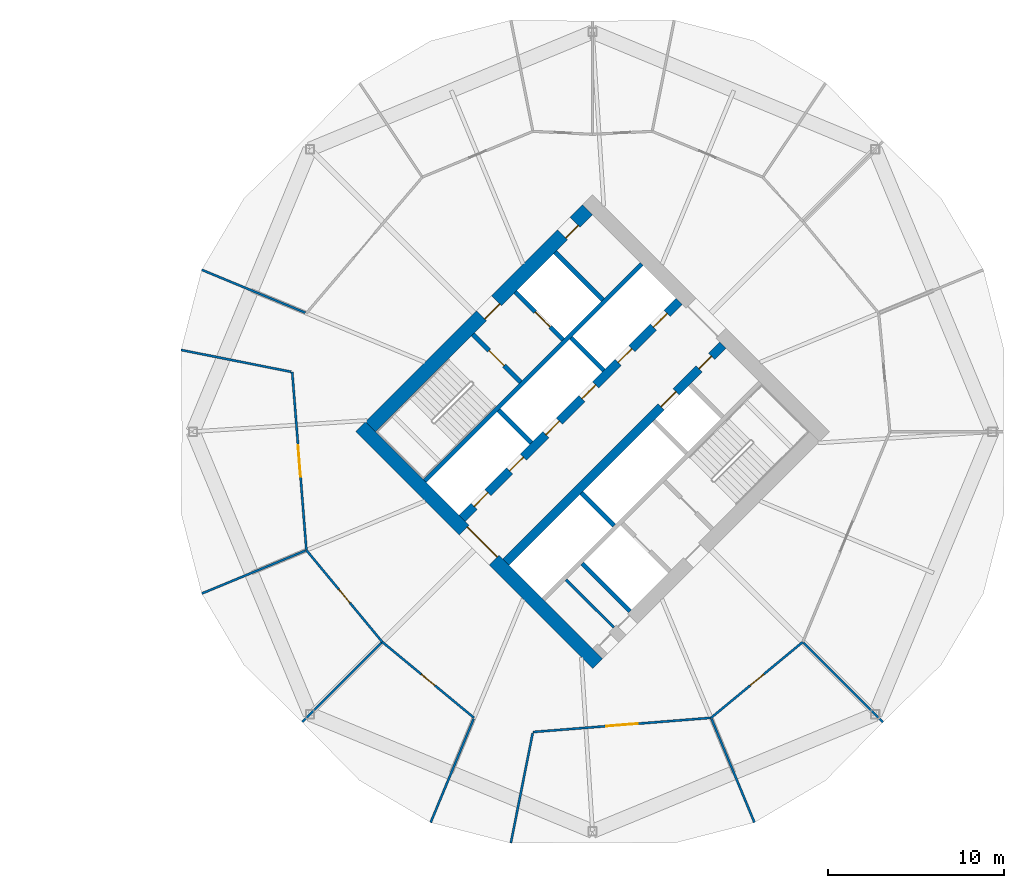
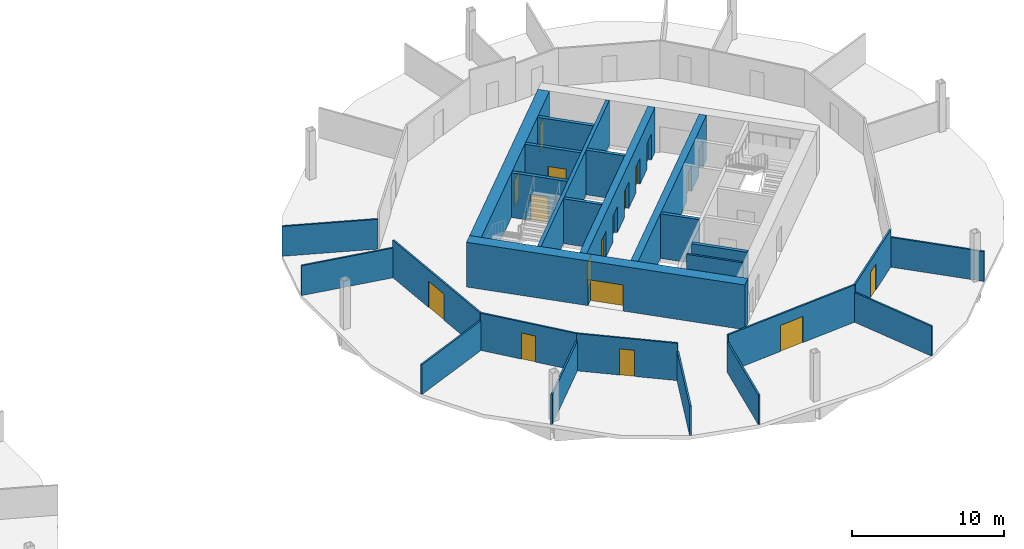
# One storey, part 6 of 9: 26 walls, 18 doors, 18 openings.
"""IFC4 building model written with IfcOpenShell, lengths in metres."""

from ifc_helpers import new_model, si_unit, direction, frame, frame_2d, origin, place, context, subcontext, project, spatial, rectangle, extrude, material, layer, layer_set, type_object, element, fill, save


model = new_model("IFC4")

# Units and contexts
model_context = context("Model", 3, precision=1e-05, world=origin(), true_north=direction((0.0, 1.0)))
body_context = subcontext(model_context, "Body", "Model", "MODEL_VIEW")
ifc_project = project(units=[si_unit("LENGTHUNIT", "METRE"), si_unit("AREAUNIT", "SQUARE_METRE"), si_unit("VOLUMEUNIT", "CUBIC_METRE"), si_unit("PLANEANGLEUNIT", "RADIAN"), si_unit("MASSUNIT", "GRAM", prefix="KILO")], contexts=[model_context])

# Site, building, storey
site_placement = place(None, origin())
site = spatial("IfcSite", under=ifc_project, at=site_placement, CompositionType="ELEMENT")
building_placement = place(site_placement, origin())
building = spatial("IfcBuilding", under=site, at=building_placement, Name="Ogive Gate Towers", CompositionType="ELEMENT")
storey_placement = place(building_placement, frame((0.0, 0.0, 80.10009765625)))
storey = spatial("IfcBuildingStorey", under=building, at=storey_placement, Name="L18", CompositionType="ELEMENT", Elevation=80.10009765625)

# Wall, openings, doors
ifc_material_1 = material(Name="Concrete C60/75", Category="concrete")
ifc_layer_1 = layer(ifc_material_1, 0.800048828125)
ifc_layer_set_1 = layer_set([ifc_layer_1], Name="Core wall 800 mm")
wall_type_1 = type_object("IfcWallType", Name="Core wall 800 mm", PredefinedType="SHEAR", material=ifc_layer_set_1)
wall_1_placement = place(storey_placement, frame((23.41357421875, 0.28271484375, 0.0), z_axis=(0.0, 0.0, 1.0), x_axis=(0.707106781187, 0.707106781187, 0.0)))
wall_1 = element("IfcWall", 1, at=wall_1_placement, inside=storey, type_object=wall_type_1, Name="T2 L18 Core wall 800 mm", PredefinedType="SHEAR", context=body_context, shape_type="SweptSolid", body=[
    extrude(rectangle(XDim=17.400146484375, YDim=0.800048828125, at=frame_2d((8.7001953125, 0.0))), origin(), (0.0, 0.0, 1.0), 3.599853515625),
])
opening_1_placement = place(wall_1_placement, frame((8.89990234375, 0.0, 0.0)))
opening_1 = element("IfcOpeningElement", 2, at=opening_1_placement, cuts=wall_1, Name="Opening KD-T2-L18-15", PredefinedType="OPENING", context=body_context, shape_type="SweptSolid", body=[
    extrude(rectangle(XDim=1.199951171875, YDim=2.10009765625, at=frame_2d((0.60009765625, 1.050048828125))), frame((0.0, 0.41015625, 0.0), z_axis=(0.0, -1.0, 0.0), x_axis=(1.0, 0.0, 0.0)), (0.0, 0.0, 1.0), 0.820068359375),
])
opening_2_placement = place(wall_1_placement, frame((15.39990234375, 0.0, 0.0)))
opening_2 = element("IfcOpeningElement", 3, at=opening_2_placement, cuts=wall_1, Name="Opening KD-T2-L18-17", PredefinedType="OPENING", context=body_context, shape_type="SweptSolid", body=[
    extrude(rectangle(XDim=1.0, YDim=2.10009765625, at=frame_2d((0.5, 1.050048828125))), frame((0.0, 0.41015625, 0.0), z_axis=(0.0, -1.0, 0.0), x_axis=(1.0, 0.0, 0.0)), (0.0, 0.0, 1.0), 0.820068359375),
])
ifc_material_2 = material(Name="Timber door", Category="wood")
door_type_1 = type_object("IfcDoorType", Name="Accessible WC door 1000 x 2100", OperationType="NOTDEFINED", PredefinedType="DOOR", material=ifc_material_2)
door_1_placement = place(opening_2_placement, origin())
door_1 = element("IfcDoor", 4, at=door_1_placement, inside=storey, type_object=door_type_1, Name="T2 L18 Core door", OperationType="SINGLE_SWING_RIGHT", OverallHeight=2.10009765625, OverallWidth=1.0, PredefinedType="DOOR", context=body_context, shape_type="SweptSolid", body=[
    extrude(rectangle(XDim=1.0, YDim=2.10009765625, at=frame_2d((0.5, 1.050048828125))), frame((0.0, -0.22509765625, 0.0), z_axis=(0.0, -1.0, 0.0), x_axis=(1.0, 0.0, 0.0)), (0.0, 0.0, 1.0), 0.050048828125),
])
fill(opening_2, door_1)
ifc_material_3 = material(Name="Steel fire door", Category="steel")
door_type_2 = type_object("IfcDoorType", Name="Core door FD60S 1200 x 2100", OperationType="NOTDEFINED", PredefinedType="DOOR", material=ifc_material_3)
door_2_placement = place(opening_1_placement, origin())
door_2 = element("IfcDoor", 5, at=door_2_placement, inside=storey, type_object=door_type_2, Name="T2 L18 Fire-fighting lobby door", OperationType="SINGLE_SWING_RIGHT", OverallHeight=2.10009765625, OverallWidth=1.199951171875, PredefinedType="DOOR", context=body_context, shape_type="SweptSolid", body=[
    extrude(rectangle(XDim=1.199951171875, YDim=2.10009765625, at=frame_2d((0.60009765625, 1.050048828125))), frame((0.0, -0.22509765625, 0.0), z_axis=(0.0, -1.0, 0.0), x_axis=(1.0, 0.0, 0.0)), (0.0, 0.0, 1.0), 0.050048828125),
])
fill(opening_1, door_2)

# Wall, opening, door
wall_2_placement = place(storey_placement, frame((36.28271484375, -13.152099609375, 0.0), z_axis=(0.0, 0.0, 1.0), x_axis=(-0.707106781187, 0.707106781187, 0.0)))
wall_2 = element("IfcWall", 6, at=wall_2_placement, inside=storey, type_object=wall_type_1, Name="T2 L18 Core wall 800 mm", PredefinedType="SHEAR", context=body_context, shape_type="SweptSolid", body=[
    extrude(rectangle(XDim=18.999755859375, YDim=0.800048828125, at=frame_2d((9.5, 0.0))), origin(), (0.0, 0.0, 1.0), 3.599853515625),
])
opening_3_placement = place(wall_2_placement, frame((8.300048828125, 0.0, 0.0)))
opening_3 = element("IfcOpeningElement", 7, at=opening_3_placement, cuts=wall_2, Name="Opening KD-T2-L18-01", PredefinedType="OPENING", context=body_context, shape_type="SweptSolid", body=[
    extrude(rectangle(XDim=2.39990234375, YDim=2.10009765625, at=frame_2d((1.199951171875, 1.050048828125))), frame((0.0, 0.41015625, 0.0), z_axis=(0.0, -1.0, 0.0), x_axis=(1.0, 0.0, 0.0)), (0.0, 0.0, 1.0), 0.820068359375),
])
door_type_3 = type_object("IfcDoorType", Name="Core double door FD60S 2400 x 2100", OperationType="DOUBLE_DOOR_SINGLE_SWING", PredefinedType="DOOR", material=ifc_material_3)
door_3_placement = place(opening_3_placement, origin())
door_3 = element("IfcDoor", 8, at=door_3_placement, inside=storey, type_object=door_type_3, Name="T2 L18 Core door double", OperationType="DOUBLE_DOOR_SINGLE_SWING", OverallHeight=2.10009765625, OverallWidth=2.39990234375, PredefinedType="DOOR", context=body_context, shape_type="SweptSolid", body=[
    extrude(rectangle(XDim=2.39990234375, YDim=2.10009765625, at=frame_2d((1.199951171875, 1.050048828125))), frame((0.0, -0.22509765625, 0.0), z_axis=(0.0, -1.0, 0.0), x_axis=(1.0, 0.0, 0.0)), (0.0, 0.0, 1.0), 0.050048828125),
])
fill(opening_3, door_3)

# Walls
ifc_material_4 = material(Name="Gypsum board partition")
ifc_layer_2 = layer(ifc_material_4, 0.125)
ifc_layer_set_2 = layer_set([ifc_layer_2], Name="Partition 125")
wall_type_2 = type_object("IfcWallType", Name="Partition 125", PredefinedType="PARTITIONING", material=ifc_layer_set_2)
wall_3_placement = place(storey_placement, frame((13.826904296875, 9.184326171875, 0.0), z_axis=(0.0, 0.0, 1.0), x_axis=(0.923885020089, -0.382670183912, 0.0)))
element("IfcWall", 9, at=wall_3_placement, inside=storey, type_object=wall_type_2, Name="Partition T2-L18-009", PredefinedType="PARTITIONING", context=body_context, shape_type="SweptSolid", body=[
    extrude(rectangle(XDim=6.365966796875, YDim=0.125, at=frame_2d((3.18310546875, 0.0))), origin(), (0.0, 0.0, 1.0), 2.39990234375),
])
wall_4_placement = place(storey_placement, frame((12.65625, 4.6357421875, 0.0), z_axis=(0.0, 0.0, 1.0), x_axis=(0.980845288953, -0.1947883958, 0.0)))
element("IfcWall", 10, at=wall_4_placement, inside=storey, type_object=wall_type_2, Name="Partition T2-L18-010", PredefinedType="PARTITIONING", context=body_context, shape_type="SweptSolid", body=[
    extrude(rectangle(XDim=6.36572265625, YDim=0.125, at=frame_2d((3.182861328125, 0.0))), origin(), (0.0, 0.0, 1.0), 2.39990234375),
])
for number, where, z_axis, x_axis, name in (
    (11, (13.826904296875, -9.184326171875, 0.0), (0.0, 0.0, 1.0), (0.923885020089, 0.382670183912, 0.0), "Partition T2-L18-011"),
    (12, (19.525146484375, -16.474853515625, 0.0), (0.0, 0.0, 1.0), (0.707106781187, 0.707106781187, 0.0), "Partition T2-L18-012"),
    (13, (26.815673828125, -22.173095703125, 0.0), (0.0, 0.0, 1.0), (0.382670183912, 0.923885020089, 0.0), "Partition T2-L18-013"),
):
    element("IfcWall", number, at=place(storey_placement, frame(where, z_axis=z_axis, x_axis=x_axis)), inside=storey, type_object=wall_type_2, Name=name, PredefinedType="PARTITIONING", context=body_context, shape_type="SweptSolid", body=[
        extrude(rectangle(XDim=6.365966796875, YDim=0.125, at=frame_2d((3.18310546875, 0.0))), origin(), (0.0, 0.0, 1.0), 2.39990234375),
    ])
wall_5_placement = place(storey_placement, frame((31.3642578125, -23.34375, 0.0), z_axis=(0.0, 0.0, 1.0), x_axis=(0.1947883958, 0.980845288953, 0.0)))
element("IfcWall", 14, at=wall_5_placement, inside=storey, type_object=wall_type_2, Name="Partition T2-L18-014", PredefinedType="PARTITIONING", context=body_context, shape_type="SweptSolid", body=[
    extrude(rectangle(XDim=6.36572265625, YDim=0.125, at=frame_2d((3.182861328125, 0.0))), origin(), (0.0, 0.0, 1.0), 2.39990234375),
])
for number, where, z_axis, x_axis, name in (
    (15, (45.184326171875, -22.173095703125, 0.0), (0.0, 0.0, 1.0), (-0.382670183912, 0.923885020089, 0.0), "Partition T2-L18-015"),
    (16, (52.474853515625, -16.474853515625, 0.0), (0.0, 0.0, 1.0), (-0.707106781187, 0.707106781187, 0.0), "Partition T2-L18-016"),
):
    element("IfcWall", number, at=place(storey_placement, frame(where, z_axis=z_axis, x_axis=x_axis)), inside=storey, type_object=wall_type_2, Name=name, PredefinedType="PARTITIONING", context=body_context, shape_type="SweptSolid", body=[
        extrude(rectangle(XDim=6.365966796875, YDim=0.125, at=frame_2d((3.18310546875, 0.0))), origin(), (0.0, 0.0, 1.0), 2.39990234375),
    ])

# Wall, opening, door
wall_6_placement = place(storey_placement, frame((18.96142578125, 3.383544921875, 0.0), z_axis=(0.0, 0.0, 1.0), x_axis=(0.079358602321, -0.996846132679, 0.0)))
wall_6 = element("IfcWall", 17, at=wall_6_placement, inside=storey, type_object=wall_type_2, Name="Partition T2-L18-017", PredefinedType="PARTITIONING", context=body_context, shape_type="SweptSolid", body=[
    extrude(rectangle(XDim=10.139892578125, YDim=0.125, at=frame_2d((5.06982421875, 0.0))), origin(), (0.0, 0.0, 1.0), 3.0),
])
opening_4_placement = place(wall_6_placement, frame((4.169921875, 0.0, 0.0)))
opening_4 = element("IfcOpeningElement", 18, at=opening_4_placement, cuts=wall_6, Name="Opening T2-L18-D01", PredefinedType="OPENING", context=body_context, shape_type="SweptSolid", body=[
    extrude(rectangle(XDim=1.800048828125, YDim=2.10009765625, at=frame_2d((0.89990234375, 1.050048828125))), frame((0.0, 0.072509765625, 0.0), z_axis=(0.0, -1.0, 0.0), x_axis=(1.0, 0.0, 0.0)), (0.0, 0.0, 1.0), 0.14501953125),
])
door_type_4 = type_object("IfcDoorType", Name="Door pair 1800", OperationType="NOTDEFINED", PredefinedType="DOOR", material=ifc_material_2)
door_4_placement = place(opening_4_placement, origin())
door_4 = element("IfcDoor", 19, at=door_4_placement, inside=storey, type_object=door_type_4, Name="Door T2-L18-D01", OperationType="DOUBLE_DOOR_DOUBLE_SWING", OverallHeight=2.10009765625, OverallWidth=1.800048828125, PredefinedType="DOOR", context=body_context, shape_type="SweptSolid", body=[
    extrude(rectangle(XDim=1.800048828125, YDim=2.10009765625, at=frame_2d((0.89990234375, 1.050048828125))), frame((0.0, 0.02490234375, 0.0), z_axis=(0.0, -1.0, 0.0), x_axis=(1.0, 0.0, 0.0)), (0.0, 0.0, 1.0), 0.050048828125),
])
fill(opening_4, door_4)

wall_7_placement = place(storey_placement, frame((19.76611328125, -6.724365234375, 0.0), z_axis=(0.0, 0.0, 1.0), x_axis=(0.63732504297, -0.77059508797, 0.0)))
wall_7 = element("IfcWall", 20, at=wall_7_placement, inside=storey, type_object=wall_type_2, Name="Partition T2-L18-018", PredefinedType="PARTITIONING", context=body_context, shape_type="SweptSolid", body=[
    extrude(rectangle(XDim=6.75439453125, YDim=0.125, at=frame_2d((3.377197265625, 0.0))), origin(), (0.0, 0.0, 1.0), 3.0),
])
opening_5_placement = place(wall_7_placement, frame((2.876953125, 0.0, 0.0)))
opening_5 = element("IfcOpeningElement", 21, at=opening_5_placement, cuts=wall_7, Name="Opening T2-L18-D02", PredefinedType="OPENING", context=body_context, shape_type="SweptSolid", body=[
    extrude(rectangle(XDim=1.0, YDim=2.10009765625, at=frame_2d((0.5, 1.050048828125))), frame((0.0, 0.072509765625, 0.0), z_axis=(0.0, -1.0, 0.0), x_axis=(1.0, 0.0, 0.0)), (0.0, 0.0, 1.0), 0.14501953125),
])
door_type_5 = type_object("IfcDoorType", Name="Door 1000", OperationType="NOTDEFINED", PredefinedType="DOOR", material=ifc_material_2)
door_5_placement = place(opening_5_placement, origin())
door_5 = element("IfcDoor", 22, at=door_5_placement, inside=storey, type_object=door_type_5, Name="Door T2-L18-D02", OperationType="SINGLE_SWING_LEFT", OverallHeight=2.10009765625, OverallWidth=1.0, PredefinedType="DOOR", context=body_context, shape_type="SweptSolid", body=[
    extrude(rectangle(XDim=1.0, YDim=2.10009765625, at=frame_2d((0.5, 1.050048828125))), frame((0.0, 0.02490234375, 0.0), z_axis=(0.0, -1.0, 0.0), x_axis=(1.0, 0.0, 0.0)), (0.0, 0.0, 1.0), 0.050048828125),
])
fill(opening_5, door_5)

wall_8_placement = place(storey_placement, frame((24.07080078125, -11.92919921875, 0.0), z_axis=(0.0, 0.0, 1.0), x_axis=(0.77059508797, -0.63732504297, 0.0)))
wall_8 = element("IfcWall", 23, at=wall_8_placement, inside=storey, type_object=wall_type_2, Name="Partition T2-L18-019", PredefinedType="PARTITIONING", context=body_context, shape_type="SweptSolid", body=[
    extrude(rectangle(XDim=6.75439453125, YDim=0.125, at=frame_2d((3.377197265625, 0.0))), origin(), (0.0, 0.0, 1.0), 3.0),
])
opening_6_placement = place(wall_8_placement, frame((2.876953125, 0.0, 0.0)))
opening_6 = element("IfcOpeningElement", 24, at=opening_6_placement, cuts=wall_8, Name="Opening T2-L18-D03", PredefinedType="OPENING", context=body_context, shape_type="SweptSolid", body=[
    extrude(rectangle(XDim=1.0, YDim=2.10009765625, at=frame_2d((0.5, 1.050048828125))), frame((0.0, 0.072509765625, 0.0), z_axis=(0.0, -1.0, 0.0), x_axis=(1.0, 0.0, 0.0)), (0.0, 0.0, 1.0), 0.14501953125),
])
door_6_placement = place(opening_6_placement, origin())
door_6 = element("IfcDoor", 25, at=door_6_placement, inside=storey, type_object=door_type_5, Name="Door T2-L18-D03", OperationType="SINGLE_SWING_LEFT", OverallHeight=2.10009765625, OverallWidth=1.0, PredefinedType="DOOR", context=body_context, shape_type="SweptSolid", body=[
    extrude(rectangle(XDim=1.0, YDim=2.10009765625, at=frame_2d((0.5, 1.050048828125))), frame((0.0, 0.02490234375, 0.0), z_axis=(0.0, -1.0, 0.0), x_axis=(1.0, 0.0, 0.0)), (0.0, 0.0, 1.0), 0.050048828125),
])
fill(opening_6, door_6)

wall_9_placement = place(storey_placement, frame((32.616455078125, -17.03857421875, 0.0), z_axis=(0.0, 0.0, 1.0), x_axis=(0.996846132679, 0.079358602321, 0.0)))
wall_9 = element("IfcWall", 26, at=wall_9_placement, inside=storey, type_object=wall_type_2, Name="Partition T2-L18-020", PredefinedType="PARTITIONING", context=body_context, shape_type="SweptSolid", body=[
    extrude(rectangle(XDim=10.139892578125, YDim=0.125, at=frame_2d((5.06982421875, 0.0))), origin(), (0.0, 0.0, 1.0), 3.0),
])
opening_7_placement = place(wall_9_placement, frame((4.169921875, 0.0, 0.0)))
opening_7 = element("IfcOpeningElement", 27, at=opening_7_placement, cuts=wall_9, Name="Opening T2-L18-D04", PredefinedType="OPENING", context=body_context, shape_type="SweptSolid", body=[
    extrude(rectangle(XDim=1.800048828125, YDim=2.10009765625, at=frame_2d((0.89990234375, 1.050048828125))), frame((0.0, 0.072509765625, 0.0), z_axis=(0.0, -1.0, 0.0), x_axis=(1.0, 0.0, 0.0)), (0.0, 0.0, 1.0), 0.14501953125),
])
door_7_placement = place(opening_7_placement, origin())
door_7 = element("IfcDoor", 28, at=door_7_placement, inside=storey, type_object=door_type_4, Name="Door T2-L18-D04", OperationType="DOUBLE_DOOR_DOUBLE_SWING", OverallHeight=2.10009765625, OverallWidth=1.800048828125, PredefinedType="DOOR", context=body_context, shape_type="SweptSolid", body=[
    extrude(rectangle(XDim=1.800048828125, YDim=2.10009765625, at=frame_2d((0.89990234375, 1.050048828125))), frame((0.0, 0.02490234375, 0.0), z_axis=(0.0, -1.0, 0.0), x_axis=(1.0, 0.0, 0.0)), (0.0, 0.0, 1.0), 0.050048828125),
])
fill(opening_7, door_7)

wall_10_placement = place(storey_placement, frame((42.724365234375, -16.23388671875, 0.0), z_axis=(0.0, 0.0, 1.0), x_axis=(0.77059508797, 0.63732504297, 0.0)))
wall_10 = element("IfcWall", 29, at=wall_10_placement, inside=storey, type_object=wall_type_2, Name="Partition T2-L18-021", PredefinedType="PARTITIONING", context=body_context, shape_type="SweptSolid", body=[
    extrude(rectangle(XDim=6.75439453125, YDim=0.125, at=frame_2d((3.377197265625, 0.0))), origin(), (0.0, 0.0, 1.0), 3.0),
])
opening_8_placement = place(wall_10_placement, frame((2.876953125, 0.0, 0.0)))
opening_8 = element("IfcOpeningElement", 30, at=opening_8_placement, cuts=wall_10, Name="Opening T2-L18-D05", PredefinedType="OPENING", context=body_context, shape_type="SweptSolid", body=[
    extrude(rectangle(XDim=1.0, YDim=2.10009765625, at=frame_2d((0.5, 1.050048828125))), frame((0.0, 0.072509765625, 0.0), z_axis=(0.0, -1.0, 0.0), x_axis=(1.0, 0.0, 0.0)), (0.0, 0.0, 1.0), 0.14501953125),
])
door_8_placement = place(opening_8_placement, origin())
door_8 = element("IfcDoor", 31, at=door_8_placement, inside=storey, type_object=door_type_5, Name="Door T2-L18-D05", OperationType="SINGLE_SWING_RIGHT", OverallHeight=2.10009765625, OverallWidth=1.0, PredefinedType="DOOR", context=body_context, shape_type="SweptSolid", body=[
    extrude(rectangle(XDim=1.0, YDim=2.10009765625, at=frame_2d((0.5, 1.050048828125))), frame((0.0, 0.02490234375, 0.0), z_axis=(0.0, -1.0, 0.0), x_axis=(1.0, 0.0, 0.0)), (0.0, 0.0, 1.0), 0.050048828125),
])
fill(opening_8, door_8)

# Walls
ifc_layer_3 = layer(ifc_material_4, 0.14990234375)
ifc_layer_set_3 = layer_set([ifc_layer_3], Name="Room partition 150 mm")
wall_type_3 = type_object("IfcWallType", Name="Room partition 150 mm", PredefinedType="PARTITIONING", material=ifc_layer_set_3)
wall_11_placement = place(storey_placement, frame((37.2021484375, -11.1015625, 0.0), z_axis=(0.0, 0.0, 1.0), x_axis=(-0.707138693938, 0.707074866995, 0.0)))
element("IfcWall", 32, at=wall_11_placement, inside=storey, type_object=wall_type_3, Name="T2 L18 Room partition 150 mm", PredefinedType="PARTITIONING", context=body_context, shape_type="SweptSolid", body=[
    extrude(rectangle(XDim=3.824951171875, YDim=0.14990234375, at=frame_2d((1.91259765625, 0.0))), origin(), (0.0, 0.0, 1.0), 3.599853515625),
])
ifc_layer_4 = layer(ifc_material_1, 0.25)
ifc_layer_set_4 = layer_set([ifc_layer_4], Name="Shaft wall 250 mm")
wall_type_4 = type_object("IfcWallType", Name="Shaft wall 250 mm", PredefinedType="SHEAR", material=ifc_layer_set_4)
wall_12_placement = place(storey_placement, frame((26.489501953125, -2.793212890625, 0.0), z_axis=(0.0, 0.0, 1.0), x_axis=(0.707106781187, 0.707106781187, 0.0)))
element("IfcWall", 33, at=wall_12_placement, inside=storey, type_object=wall_type_4, Name="T2 L18 Shaft wall 250 mm", PredefinedType="SHEAR", context=body_context, shape_type="SweptSolid", body=[
    extrude(rectangle(XDim=17.400146484375, YDim=0.25, at=frame_2d((8.7001953125, 0.0))), origin(), (0.0, 0.0, 1.0), 3.599853515625),
])
wall_13_placement = place(storey_placement, frame((38.121337890625, -10.182373046875, 0.0), z_axis=(0.0, 0.0, 1.0), x_axis=(-0.707138693938, 0.707074866995, 0.0)))
element("IfcWall", 34, at=wall_13_placement, inside=storey, type_object=wall_type_4, Name="T2 L18 Shaft wall 250 mm", PredefinedType="SHEAR", context=body_context, shape_type="SweptSolid", body=[
    extrude(rectangle(XDim=3.824951171875, YDim=0.25, at=frame_2d((1.91259765625, 0.0))), origin(), (0.0, 0.0, 1.0), 3.599853515625),
])
for number, where, z_axis, x_axis, name in (
    (35, (37.2197265625, -5.321044921875, 0.0), (0.0, 0.0, 1.0), (-0.707106781187, 0.707106781187, 0.0), "T2 L18 Shaft wall 250 mm"),
    (36, (32.53515625, -0.636474609375, 0.0), (0.0, 0.0, 1.0), (-0.707106781187, 0.707106781187, 0.0), "T2 L18 Shaft wall 250 mm"),
):
    element("IfcWall", number, at=place(storey_placement, frame(where, z_axis=z_axis, x_axis=x_axis)), inside=storey, type_object=wall_type_4, Name=name, PredefinedType="SHEAR", context=body_context, shape_type="SweptSolid", body=[
        extrude(rectangle(XDim=2.625, YDim=0.25, at=frame_2d((1.3125, 0.0))), origin(), (0.0, 0.0, 1.0), 3.599853515625),
    ])

# Wall, opening, door
wall_14_placement = place(storey_placement, frame((31.91650390625, 2.810791015625, 0.0), z_axis=(0.0, 0.0, 1.0), x_axis=(-0.707106781187, 0.707106781187, 0.0)))
wall_14 = element("IfcWall", 37, at=wall_14_placement, inside=storey, type_object=wall_type_4, Name="T2 L18 Shaft wall 250 mm", PredefinedType="SHEAR", context=body_context, shape_type="SweptSolid", body=[
    extrude(rectangle(XDim=3.824951171875, YDim=0.25, at=frame_2d((1.91259765625, 0.0))), origin(), (0.0, 0.0, 1.0), 3.599853515625),
])
opening_9_placement = place(wall_14_placement, frame((1.324951171875, 0.0, 0.0)))
opening_9 = element("IfcOpeningElement", 38, at=opening_9_placement, cuts=wall_14, Name="Opening KD-T2-L18-13", PredefinedType="OPENING", context=body_context, shape_type="SweptSolid", body=[
    extrude(rectangle(XDim=1.199951171875, YDim=2.10009765625, at=frame_2d((0.60009765625, 1.050048828125))), frame((0.0, 0.135009765625, 0.0), z_axis=(0.0, -1.0, 0.0), x_axis=(1.0, 0.0, 0.0)), (0.0, 0.0, 1.0), 0.27001953125),
])
door_9_placement = place(opening_9_placement, origin())
door_9 = element("IfcDoor", 39, at=door_9_placement, inside=storey, type_object=door_type_2, Name="T2 L18 Stair door", OperationType="SINGLE_SWING_RIGHT", OverallHeight=2.10009765625, OverallWidth=1.199951171875, PredefinedType="DOOR", context=body_context, shape_type="SweptSolid", body=[
    extrude(rectangle(XDim=1.199951171875, YDim=2.10009765625, at=frame_2d((0.60009765625, 1.050048828125))), frame((0.0, 0.02490234375, 0.0), z_axis=(0.0, -1.0, 0.0), x_axis=(1.0, 0.0, 0.0)), (0.0, 0.0, 1.0), 0.050048828125),
])
fill(opening_9, door_9)

wall_15_placement = place(storey_placement, frame((34.320556640625, 5.21484375, 0.0), z_axis=(0.0, 0.0, 1.0), x_axis=(-0.707074866995, 0.707138693938, 0.0)))
wall_15 = element("IfcWall", 40, at=wall_15_placement, inside=storey, type_object=wall_type_4, Name="T2 L18 Shaft wall 250 mm", PredefinedType="SHEAR", context=body_context, shape_type="SweptSolid", body=[
    extrude(rectangle(XDim=3.824951171875, YDim=0.25, at=frame_2d((1.91259765625, 0.0))), origin(), (0.0, 0.0, 1.0), 3.599853515625),
])
opening_10_placement = place(wall_15_placement, frame((1.02490234375, 0.0, 0.0)))
opening_10 = element("IfcOpeningElement", 41, at=opening_10_placement, cuts=wall_15, Name="Opening LD-T2-L18-10", PredefinedType="OPENING", context=body_context, shape_type="SweptSolid", body=[
    extrude(rectangle(XDim=1.199951171875, YDim=2.10009765625, at=frame_2d((0.60009765625, 1.050048828125))), frame((0.0, 0.135009765625, 0.0), z_axis=(0.0, -1.0, 0.0), x_axis=(1.0, 0.0, 0.0)), (0.0, 0.0, 1.0), 0.27001953125),
])
ifc_material_5 = material(Name="Stainless steel landing door", Category="steel")
door_type_6 = type_object("IfcDoorType", Name="Landing door 1200 x 2100", OperationType="SLIDING_TO_LEFT", PredefinedType="DOOR", material=ifc_material_5)
door_10_placement = place(opening_10_placement, origin())
door_10 = element("IfcDoor", 42, at=door_10_placement, inside=storey, type_object=door_type_6, Name="T2 L18 Lift landing door FF1", OperationType="SLIDING_TO_LEFT", OverallHeight=2.10009765625, OverallWidth=1.199951171875, PredefinedType="DOOR", context=body_context, shape_type="SweptSolid", body=[
    extrude(rectangle(XDim=1.199951171875, YDim=2.10009765625, at=frame_2d((0.60009765625, 1.050048828125))), frame((0.0, 0.02490234375, 0.0), z_axis=(0.0, -1.0, 0.0), x_axis=(1.0, 0.0, 0.0)), (0.0, 0.0, 1.0), 0.050048828125),
])
fill(opening_10, door_10)

# Walls
wall_16_placement = place(storey_placement, frame((36.636474609375, 3.46484375, 0.0), z_axis=(0.0, 0.0, 1.0), x_axis=(-0.707106781187, 0.707106781187, 0.0)))
element("IfcWall", 43, at=wall_16_placement, inside=storey, type_object=wall_type_4, Name="T2 L18 Shaft wall 250 mm", PredefinedType="SHEAR", context=body_context, shape_type="SweptSolid", body=[
    extrude(rectangle(XDim=2.625, YDim=0.25, at=frame_2d((1.3125, 0.0))), origin(), (0.0, 0.0, 1.0), 3.599853515625),
])
wall_17_placement = place(storey_placement, frame((36.58349609375, 7.477783203125, 0.0), z_axis=(0.0, 0.0, 1.0), x_axis=(-0.707138693938, 0.707074866995, 0.0)))
element("IfcWall", 44, at=wall_17_placement, inside=storey, type_object=wall_type_4, Name="T2 L18 Shaft wall 250 mm", PredefinedType="SHEAR", context=body_context, shape_type="SweptSolid", body=[
    extrude(rectangle(XDim=3.824951171875, YDim=0.25, at=frame_2d((1.91259765625, 0.0))), origin(), (0.0, 0.0, 1.0), 3.599853515625),
])

# Wall, openings, doors
ifc_layer_5 = layer(ifc_material_1, 0.5)
ifc_layer_set_5 = layer_set([ifc_layer_5], Name="Spine wall 500 mm")
wall_type_5 = type_object("IfcWallType", Name="Spine wall 500 mm", PredefinedType="SHEAR", material=ifc_layer_set_5)
wall_18_placement = place(storey_placement, frame((31.085693359375, -7.389404296875, 0.0), z_axis=(0.0, 0.0, 1.0), x_axis=(0.707106781187, 0.707106781187, 0.0)))
wall_18 = element("IfcWall", 45, at=wall_18_placement, inside=storey, type_object=wall_type_5, Name="T2 L18 Spine wall 500 mm", PredefinedType="SHEAR", context=body_context, shape_type="SweptSolid", body=[
    extrude(rectangle(XDim=17.400146484375, YDim=0.5, at=frame_2d((8.7001953125, 0.0))), origin(), (0.0, 0.0, 1.0), 3.599853515625),
])
opening_11_placement = place(wall_18_placement, frame((12.449951171875, 0.0, 0.0)))
opening_11 = element("IfcOpeningElement", 46, at=opening_11_placement, cuts=wall_18, Name="Opening LD-T2-L18-09", PredefinedType="OPENING", context=body_context, shape_type="SweptSolid", body=[
    extrude(rectangle(XDim=1.199951171875, YDim=2.10009765625, at=frame_2d((0.60009765625, 1.050048828125))), frame((0.0, 0.260009765625, 0.0), z_axis=(0.0, -1.0, 0.0), x_axis=(1.0, 0.0, 0.0)), (0.0, 0.0, 1.0), 0.52001953125),
])
opening_12_placement = place(wall_18_placement, frame((15.5, 0.0, 0.0)))
opening_12 = element("IfcOpeningElement", 47, at=opening_12_placement, cuts=wall_18, Name="Opening KD-T2-L18-12", PredefinedType="OPENING", context=body_context, shape_type="SweptSolid", body=[
    extrude(rectangle(XDim=1.0, YDim=2.10009765625, at=frame_2d((0.5, 1.050048828125))), frame((0.0, 0.260009765625, 0.0), z_axis=(0.0, -1.0, 0.0), x_axis=(1.0, 0.0, 0.0)), (0.0, 0.0, 1.0), 0.52001953125),
])
door_type_7 = type_object("IfcDoorType", Name="Core door FD60S 1000 x 2100", OperationType="NOTDEFINED", PredefinedType="DOOR", material=ifc_material_3)
door_11_placement = place(opening_12_placement, origin())
door_11 = element("IfcDoor", 48, at=door_11_placement, inside=storey, type_object=door_type_7, Name="T2 L18 Core door", OperationType="SINGLE_SWING_LEFT", OverallHeight=2.10009765625, OverallWidth=1.0, PredefinedType="DOOR", context=body_context, shape_type="SweptSolid", body=[
    extrude(rectangle(XDim=1.0, YDim=2.10009765625, at=frame_2d((0.5, 1.050048828125))), frame((0.0, 0.02490234375, 0.0), z_axis=(0.0, -1.0, 0.0), x_axis=(1.0, 0.0, 0.0)), (0.0, 0.0, 1.0), 0.050048828125),
])
fill(opening_12, door_11)
door_12_placement = place(opening_11_placement, origin())
door_12 = element("IfcDoor", 49, at=door_12_placement, inside=storey, type_object=door_type_6, Name="T2 L18 Lift landing door SVC", OperationType="SLIDING_TO_LEFT", OverallHeight=2.10009765625, OverallWidth=1.199951171875, PredefinedType="DOOR", context=body_context, shape_type="SweptSolid", body=[
    extrude(rectangle(XDim=1.199951171875, YDim=2.10009765625, at=frame_2d((0.60009765625, 1.050048828125))), frame((0.0, 0.02490234375, 0.0), z_axis=(0.0, -1.0, 0.0), x_axis=(1.0, 0.0, 0.0)), (0.0, 0.0, 1.0), 0.050048828125),
])
fill(opening_11, door_12)

wall_19_placement = place(storey_placement, frame((28.610595703125, -4.914306640625, 0.0), z_axis=(0.0, 0.0, 1.0), x_axis=(0.707106781187, 0.707106781187, 0.0)))
wall_19 = element("IfcWall", 50, at=wall_19_placement, inside=storey, type_object=wall_type_5, Name="T2 L18 Spine wall 500 mm", PredefinedType="SHEAR", context=body_context, shape_type="SweptSolid", body=[
    extrude(rectangle(XDim=17.400146484375, YDim=0.5, at=frame_2d((8.7001953125, 0.0))), origin(), (0.0, 0.0, 1.0), 3.599853515625),
])
opening_13_placement = place(wall_19_placement, frame((0.96240234375, 0.0, 0.0)))
opening_13 = element("IfcOpeningElement", 51, at=opening_13_placement, cuts=wall_19, Name="Opening LD-T2-L18-03", PredefinedType="OPENING", context=body_context, shape_type="SweptSolid", body=[
    extrude(rectangle(XDim=1.10009765625, YDim=2.10009765625, at=frame_2d((0.550048828125, 1.050048828125))), frame((0.0, 0.260009765625, 0.0), z_axis=(0.0, -1.0, 0.0), x_axis=(1.0, 0.0, 0.0)), (0.0, 0.0, 1.0), 0.52001953125),
])
opening_14_placement = place(wall_19_placement, frame((3.800048828125, 0.0, 0.0)))
opening_14 = element("IfcOpeningElement", 52, at=opening_14_placement, cuts=wall_19, Name="Opening LD-T2-L18-04", PredefinedType="OPENING", context=body_context, shape_type="SweptSolid", body=[
    extrude(rectangle(XDim=1.10009765625, YDim=2.10009765625, at=frame_2d((0.550048828125, 1.050048828125))), frame((0.0, 0.260009765625, 0.0), z_axis=(0.0, -1.0, 0.0), x_axis=(1.0, 0.0, 0.0)), (0.0, 0.0, 1.0), 0.52001953125),
])
opening_15_placement = place(wall_19_placement, frame((6.699951171875, 0.0, 0.0)))
opening_15 = element("IfcOpeningElement", 53, at=opening_15_placement, cuts=wall_19, Name="Opening LD-T2-L18-05", PredefinedType="OPENING", context=body_context, shape_type="SweptSolid", body=[
    extrude(rectangle(XDim=1.10009765625, YDim=2.10009765625, at=frame_2d((0.550048828125, 1.050048828125))), frame((0.0, 0.260009765625, 0.0), z_axis=(0.0, -1.0, 0.0), x_axis=(1.0, 0.0, 0.0)), (0.0, 0.0, 1.0), 0.52001953125),
])
opening_16_placement = place(wall_19_placement, frame((9.60009765625, 0.0, 0.0)))
opening_16 = element("IfcOpeningElement", 54, at=opening_16_placement, cuts=wall_19, Name="Opening LD-T2-L18-06", PredefinedType="OPENING", context=body_context, shape_type="SweptSolid", body=[
    extrude(rectangle(XDim=1.10009765625, YDim=2.10009765625, at=frame_2d((0.550048828125, 1.050048828125))), frame((0.0, 0.260009765625, 0.0), z_axis=(0.0, -1.0, 0.0), x_axis=(1.0, 0.0, 0.0)), (0.0, 0.0, 1.0), 0.52001953125),
])
opening_17_placement = place(wall_19_placement, frame((12.5, 0.0, 0.0)))
opening_17 = element("IfcOpeningElement", 55, at=opening_17_placement, cuts=wall_19, Name="Opening LD-T2-L18-07", PredefinedType="OPENING", context=body_context, shape_type="SweptSolid", body=[
    extrude(rectangle(XDim=1.10009765625, YDim=2.10009765625, at=frame_2d((0.550048828125, 1.050048828125))), frame((0.0, 0.260009765625, 0.0), z_axis=(0.0, -1.0, 0.0), x_axis=(1.0, 0.0, 0.0)), (0.0, 0.0, 1.0), 0.52001953125),
])
opening_18_placement = place(wall_19_placement, frame((15.33740234375, 0.0, 0.0)))
opening_18 = element("IfcOpeningElement", 56, at=opening_18_placement, cuts=wall_19, Name="Opening LD-T2-L18-08", PredefinedType="OPENING", context=body_context, shape_type="SweptSolid", body=[
    extrude(rectangle(XDim=1.10009765625, YDim=2.10009765625, at=frame_2d((0.550048828125, 1.050048828125))), frame((0.0, 0.260009765625, 0.0), z_axis=(0.0, -1.0, 0.0), x_axis=(1.0, 0.0, 0.0)), (0.0, 0.0, 1.0), 0.52001953125),
])
door_type_8 = type_object("IfcDoorType", Name="Landing door 1100 x 2100", OperationType="SLIDING_TO_LEFT", PredefinedType="DOOR", material=ifc_material_5)
door_13_placement = place(opening_13_placement, origin())
door_13 = element("IfcDoor", 57, at=door_13_placement, inside=storey, type_object=door_type_8, Name="T2 L18 Lift landing door A1", OperationType="SLIDING_TO_LEFT", OverallHeight=2.10009765625, OverallWidth=1.10009765625, PredefinedType="DOOR", context=body_context, shape_type="SweptSolid", body=[
    extrude(rectangle(XDim=1.10009765625, YDim=2.10009765625, at=frame_2d((0.550048828125, 1.050048828125))), frame((0.0, 0.02490234375, 0.0), z_axis=(0.0, -1.0, 0.0), x_axis=(1.0, 0.0, 0.0)), (0.0, 0.0, 1.0), 0.050048828125),
])
fill(opening_13, door_13)
door_14_placement = place(opening_14_placement, origin())
door_14 = element("IfcDoor", 58, at=door_14_placement, inside=storey, type_object=door_type_8, Name="T2 L18 Lift landing door A2", OperationType="SLIDING_TO_LEFT", OverallHeight=2.10009765625, OverallWidth=1.10009765625, PredefinedType="DOOR", context=body_context, shape_type="SweptSolid", body=[
    extrude(rectangle(XDim=1.10009765625, YDim=2.10009765625, at=frame_2d((0.550048828125, 1.050048828125))), frame((0.0, 0.02490234375, 0.0), z_axis=(0.0, -1.0, 0.0), x_axis=(1.0, 0.0, 0.0)), (0.0, 0.0, 1.0), 0.050048828125),
])
fill(opening_14, door_14)
door_15_placement = place(opening_15_placement, origin())
door_15 = element("IfcDoor", 59, at=door_15_placement, inside=storey, type_object=door_type_8, Name="T2 L18 Lift landing door A3", OperationType="SLIDING_TO_LEFT", OverallHeight=2.10009765625, OverallWidth=1.10009765625, PredefinedType="DOOR", context=body_context, shape_type="SweptSolid", body=[
    extrude(rectangle(XDim=1.10009765625, YDim=2.10009765625, at=frame_2d((0.550048828125, 1.050048828125))), frame((0.0, 0.02490234375, 0.0), z_axis=(0.0, -1.0, 0.0), x_axis=(1.0, 0.0, 0.0)), (0.0, 0.0, 1.0), 0.050048828125),
])
fill(opening_15, door_15)
door_16_placement = place(opening_16_placement, origin())
door_16 = element("IfcDoor", 60, at=door_16_placement, inside=storey, type_object=door_type_8, Name="T2 L18 Lift landing door A4", OperationType="SLIDING_TO_LEFT", OverallHeight=2.10009765625, OverallWidth=1.10009765625, PredefinedType="DOOR", context=body_context, shape_type="SweptSolid", body=[
    extrude(rectangle(XDim=1.10009765625, YDim=2.10009765625, at=frame_2d((0.550048828125, 1.050048828125))), frame((0.0, 0.02490234375, 0.0), z_axis=(0.0, -1.0, 0.0), x_axis=(1.0, 0.0, 0.0)), (0.0, 0.0, 1.0), 0.050048828125),
])
fill(opening_16, door_16)
door_17_placement = place(opening_17_placement, origin())
door_17 = element("IfcDoor", 61, at=door_17_placement, inside=storey, type_object=door_type_8, Name="T2 L18 Lift landing door A5", OperationType="SLIDING_TO_LEFT", OverallHeight=2.10009765625, OverallWidth=1.10009765625, PredefinedType="DOOR", context=body_context, shape_type="SweptSolid", body=[
    extrude(rectangle(XDim=1.10009765625, YDim=2.10009765625, at=frame_2d((0.550048828125, 1.050048828125))), frame((0.0, 0.02490234375, 0.0), z_axis=(0.0, -1.0, 0.0), x_axis=(1.0, 0.0, 0.0)), (0.0, 0.0, 1.0), 0.050048828125),
])
fill(opening_17, door_17)
door_18_placement = place(opening_18_placement, origin())
door_18 = element("IfcDoor", 62, at=door_18_placement, inside=storey, type_object=door_type_8, Name="T2 L18 Lift landing door A6", OperationType="SLIDING_TO_LEFT", OverallHeight=2.10009765625, OverallWidth=1.10009765625, PredefinedType="DOOR", context=body_context, shape_type="SweptSolid", body=[
    extrude(rectangle(XDim=1.10009765625, YDim=2.10009765625, at=frame_2d((0.550048828125, 1.050048828125))), frame((0.0, 0.02490234375, 0.0), z_axis=(0.0, -1.0, 0.0), x_axis=(1.0, 0.0, 0.0)), (0.0, 0.0, 1.0), 0.050048828125),
])
fill(opening_18, door_18)

save(model, "model.ifc")
